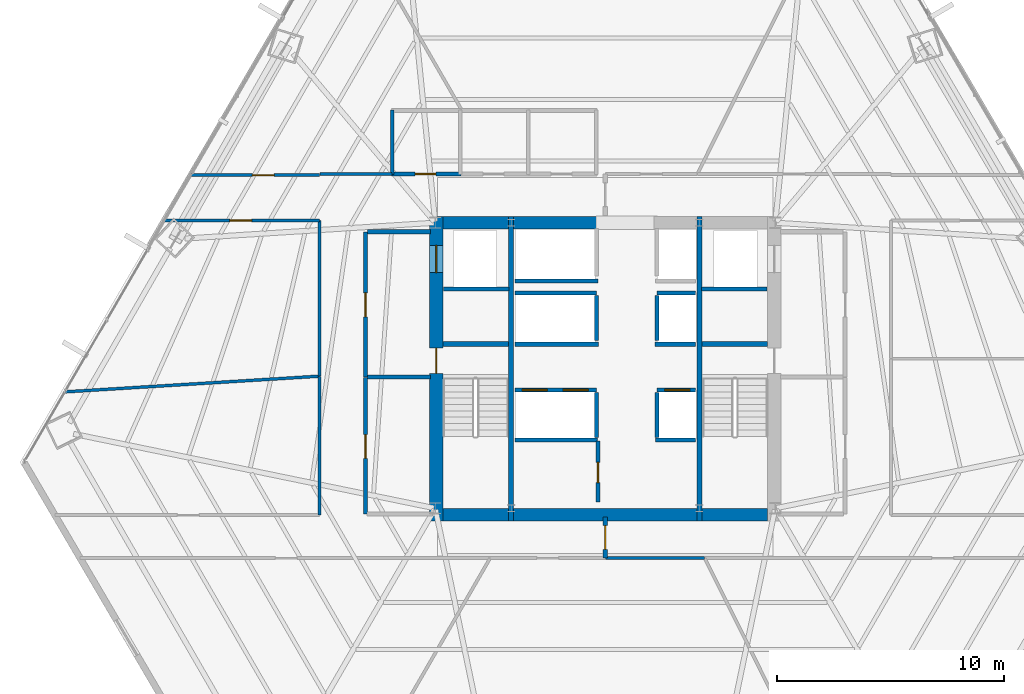
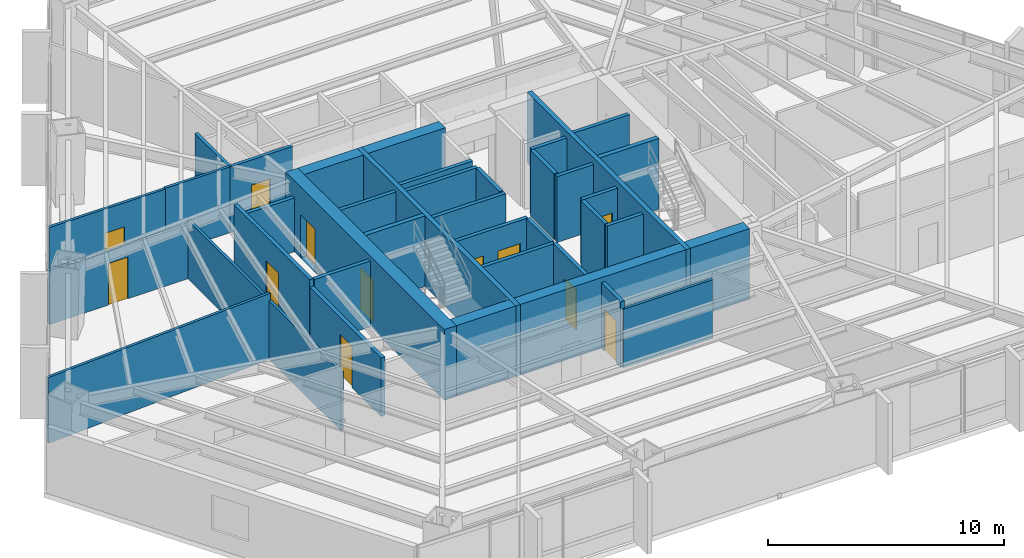
# One storey, part 24 of 29: 40 walls, 12 doors, 12 openings.
"""IFC4 building model written with IfcOpenShell, lengths in metres."""

from ifc_helpers import new_model, si_unit, direction, frame, frame_2d, origin, place, context, subcontext, project, spatial, rectangle, extrude, material, layer, layer_set, type_object, element, fill, save


model = new_model("IFC4")

# Units and contexts
model_context = context("Model", 3, precision=1e-05, world=origin(), true_north=direction((0.0, 1.0)))
body_context = subcontext(model_context, "Body", "Model", "MODEL_VIEW")
ifc_project = project(units=[si_unit("LENGTHUNIT", "METRE"), si_unit("AREAUNIT", "SQUARE_METRE"), si_unit("VOLUMEUNIT", "CUBIC_METRE"), si_unit("PLANEANGLEUNIT", "RADIAN"), si_unit("MASSUNIT", "GRAM", prefix="KILO")], contexts=[model_context])

# Site, building, storey
site_placement = place(None, origin())
site = spatial("IfcSite", under=ifc_project, at=site_placement, CompositionType="ELEMENT")
building_placement = place(site_placement, origin())
building = spatial("IfcBuilding", under=site, at=building_placement, Name="Caelisora Broadcast Tower", CompositionType="ELEMENT")
storey_placement = place(building_placement, frame((0.0, 0.0, 31.25)))
storey = spatial("IfcBuildingStorey", under=building, at=storey_placement, Name="L07", CompositionType="ELEMENT", Elevation=31.25)

# Wall, openings, doors
ifc_material_1 = material(Name="Concrete 65 MPa (AS 3600 S65)", Category="concrete")
ifc_layer_1 = layer(ifc_material_1, 0.60009765625, Name="Concrete 65 MPa (AS 3600 S65)")
ifc_layer_set_1 = layer_set([ifc_layer_1], Name="Concrete 65 MPa (AS 3600 S65)")
wall_type_1 = type_object("IfcWallType", Name="CW1", PredefinedType="SHEAR", material=ifc_layer_set_1)
wall_1_placement = place(storey_placement, frame((30.5400390625, 16.85009765625, 0.0), z_axis=(0.0, 0.0, 1.0), x_axis=(0.0, 1.0, 0.0)))
wall_1 = element("IfcWall", 1, at=wall_1_placement, inside=storey, type_object=wall_type_1, Name="L07 core shear wall CW1", PredefinedType="SHEAR", context=body_context, shape_type="SweptSolid", body=[
    extrude(rectangle(XDim=13.4248046875, YDim=0.60009765625, at=frame_2d((6.71240234375, 0.0))), origin(), (0.0, 0.0, 1.0), 3.64990234375),
])
opening_1_placement = place(wall_1_placement, frame((6.5, 0.0, 0.0)))
opening_1 = element("IfcOpeningElement", 2, at=opening_1_placement, cuts=wall_1, Name="Opening FD04", PredefinedType="OPENING", context=body_context, shape_type="SweptSolid", body=[
    extrude(rectangle(XDim=1.1201171875, YDim=2.14990234375, at=frame_2d((0.56005859375, 1.074951171875))), frame((0.0, 0.31201171875, 0.0), z_axis=(0.0, -1.0, 0.0), x_axis=(1.0, 0.0, 0.0)), (0.0, 0.0, 1.0), 0.6240234375),
])
opening_2_placement = place(wall_1_placement, frame((10.949951171875, 0.0, 0.0)))
opening_2 = element("IfcOpeningElement", 3, at=opening_2_placement, cuts=wall_1, Name="Opening LD04", PredefinedType="OPENING", context=body_context, shape_type="SweptSolid", body=[
    extrude(rectangle(XDim=1.199951171875, YDim=2.199951171875, at=frame_2d((0.60009765625, 1.10009765625))), frame((0.0, 0.31201171875, 0.0), z_axis=(0.0, -1.0, 0.0), x_axis=(1.0, 0.0, 0.0)), (0.0, 0.0, 1.0), 0.6240234375),
])
ifc_material_2 = material(Name="Pressurised Fire-Isolated Stair Door", Category="steel")
door_type_1 = type_object("IfcDoorType", Name="FD04", OperationType="NOTDEFINED", PredefinedType="DOOR", material=ifc_material_2)
door_1_placement = place(opening_1_placement, origin())
door_1 = element("IfcDoor", 4, at=door_1_placement, inside=storey, type_object=door_type_1, Name="L07 door FD04 (L07-DR-ST1)", OperationType="SINGLE_SWING_LEFT", OverallHeight=2.14990234375, OverallWidth=1.1201171875, PredefinedType="DOOR", context=body_context, shape_type="SweptSolid", body=[
    extrude(rectangle(XDim=1.1201171875, YDim=2.14990234375, at=frame_2d((0.56005859375, 1.074951171875))), frame((0.0, 0.02490234375, 0.0), z_axis=(0.0, -1.0, 0.0), x_axis=(1.0, 0.0, 0.0)), (0.0, 0.0, 1.0), 0.050048828125),
])
fill(opening_1, door_1)
ifc_material_3 = material(Name="Emergency Firefighting Lift Sliding Landing Door", Category="steel")
door_type_2 = type_object("IfcDoorType", Name="LD04", OperationType="NOTDEFINED", PredefinedType="DOOR", material=ifc_material_3)
door_2_placement = place(opening_2_placement, origin())
door_2 = element("IfcDoor", 5, at=door_2_placement, inside=storey, type_object=door_type_2, Name="L07 door LD04 (L07-LD-FFL1)", OperationType="SLIDING_TO_LEFT", OverallHeight=2.199951171875, OverallWidth=1.199951171875, PredefinedType="DOOR", context=body_context, shape_type="SweptSolid", body=[
    extrude(rectangle(XDim=1.199951171875, YDim=2.199951171875, at=frame_2d((0.60009765625, 1.10009765625))), frame((0.0, 0.02490234375, 0.0), z_axis=(0.0, -1.0, 0.0), x_axis=(1.0, 0.0, 0.0)), (0.0, 0.0, 1.0), 0.050048828125),
])
fill(opening_2, door_2)

# Walls
ifc_layer_2 = layer(ifc_material_1, 0.550048828125, Name="Concrete 65 MPa (AS 3600 S65)")
ifc_layer_set_2 = layer_set([ifc_layer_2], Name="Concrete 65 MPa (AS 3600 S65)")
wall_type_2 = type_object("IfcWallType", Name="CW4", PredefinedType="SHEAR", material=ifc_layer_set_2)
wall_2_placement = place(storey_placement, frame((30.840087890625, 17.125, 0.0), z_axis=(0.0, 0.0, 1.0), x_axis=(1.0, 0.0, 0.0)))
element("IfcWall", 6, at=wall_2_placement, inside=storey, type_object=wall_type_2, Name="L07 core shear wall CW4", PredefinedType="SHEAR", context=body_context, shape_type="SweptSolid", body=[
    extrude(rectangle(XDim=2.89990234375, YDim=0.550048828125, at=frame_2d((1.449951171875, 0.0))), origin(), (0.0, 0.0, 1.0), 3.64990234375),
])
wall_3_placement = place(storey_placement, frame((33.9599609375, 17.125, 0.0), z_axis=(0.0, 0.0, 1.0), x_axis=(1.0, 0.0, 0.0)))
element("IfcWall", 7, at=wall_3_placement, inside=storey, type_object=wall_type_2, Name="L07 core shear wall CW4", PredefinedType="SHEAR", context=body_context, shape_type="SweptSolid", body=[
    extrude(rectangle(XDim=8.080078125, YDim=0.550048828125, at=frame_2d((4.0400390625, 0.0))), origin(), (0.0, 0.0, 1.0), 3.64990234375),
])
for number, where, z_axis, x_axis, name in (
    (8, (42.260009765625, 17.125, 0.0), (0.0, 0.0, 1.0), (1.0, 0.0, 0.0), "L07 core shear wall CW4"),
    (9, (30.840087890625, 30.0, 0.0), (0.0, 0.0, 1.0), (1.0, 0.0, 0.0), "L07 core shear wall CW4"),
):
    element("IfcWall", number, at=place(storey_placement, frame(where, z_axis=z_axis, x_axis=x_axis)), inside=storey, type_object=wall_type_2, Name=name, PredefinedType="SHEAR", context=body_context, shape_type="SweptSolid", body=[
        extrude(rectangle(XDim=2.89990234375, YDim=0.550048828125, at=frame_2d((1.449951171875, 0.0))), origin(), (0.0, 0.0, 1.0), 3.64990234375),
    ])
wall_4_placement = place(storey_placement, frame((33.9599609375, 30.0, 0.0), z_axis=(0.0, 0.0, 1.0), x_axis=(1.0, 0.0, 0.0)))
element("IfcWall", 10, at=wall_4_placement, inside=storey, type_object=wall_type_2, Name="L07 core shear wall CW4", PredefinedType="SHEAR", context=body_context, shape_type="SweptSolid", body=[
    extrude(rectangle(XDim=3.780029296875, YDim=0.550048828125, at=frame_2d((1.89013671875, 0.0))), origin(), (0.0, 0.0, 1.0), 3.64990234375),
])
ifc_material_4 = material(Name="Concrete 50 MPa (AS 3600 S50)", Category="concrete")
ifc_layer_3 = layer(ifc_material_4, 0.219970703125, Name="Concrete 50 MPa (AS 3600 S50)")
ifc_layer_set_3 = layer_set([ifc_layer_3], Name="Concrete 50 MPa (AS 3600 S50)")
wall_type_3 = type_object("IfcWallType", Name="CW7", PredefinedType="SHEAR", material=ifc_layer_set_3)
for number, where, z_axis, x_axis, name in (
    (11, (33.85009765625, 16.85009765625, 0.0), (0.0, 0.0, 1.0), (0.0, 1.0, 0.0), "L07 core shear wall CW7"),
    (12, (42.14990234375, 16.85009765625, 0.0), (0.0, 0.0, 1.0), (0.0, 1.0, 0.0), "L07 core shear wall CW7"),
):
    element("IfcWall", number, at=place(storey_placement, frame(where, z_axis=z_axis, x_axis=x_axis)), inside=storey, type_object=wall_type_3, Name=name, PredefinedType="SHEAR", context=body_context, shape_type="SweptSolid", body=[
        extrude(rectangle(XDim=13.4248046875, YDim=0.219970703125, at=frame_2d((6.71240234375, 0.0))), origin(), (0.0, 0.0, 1.0), 3.64990234375),
    ])
for number, where, z_axis, x_axis, name in (
    (13, (30.840087890625, 24.639892578125, 0.0), (0.0, 0.0, 1.0), (1.0, 0.0, 0.0), "L07 core shear wall CW7"),
    (14, (42.260009765625, 24.639892578125, 0.0), (0.0, 0.0, 1.0), (1.0, 0.0, 0.0), "L07 core shear wall CW7"),
):
    element("IfcWall", number, at=place(storey_placement, frame(where, z_axis=z_axis, x_axis=x_axis)), inside=storey, type_object=wall_type_3, Name=name, PredefinedType="SHEAR", context=body_context, shape_type="SweptSolid", body=[
        extrude(rectangle(XDim=2.89990234375, YDim=0.219970703125, at=frame_2d((1.449951171875, 0.0))), origin(), (0.0, 0.0, 1.0), 3.64990234375),
    ])

# Wall, openings, doors
ifc_material_5 = material(Name="Fire-Rated Gypsum Shaft and Compartment Wall", Category="gypsum")
ifc_layer_4 = layer(ifc_material_5, 0.179931640625, Name="Fire-Rated Gypsum Shaft and Compartment Wall")
ifc_layer_set_4 = layer_set([ifc_layer_4], Name="Fire-Rated Gypsum Shaft and Compartment Wall")
wall_type_4 = type_object("IfcWallType", Name="PW2", PredefinedType="PARTITIONING", material=ifc_layer_set_4)
wall_5_placement = place(storey_placement, frame((34.02001953125, 22.6201171875, 0.0), z_axis=(0.0, 0.0, 1.0), x_axis=(1.0, 0.0, 0.0)))
wall_5 = element("IfcWall", 15, at=wall_5_placement, inside=storey, type_object=wall_type_4, Name="L07 fire compartment wall PW2", PredefinedType="PARTITIONING", context=body_context, shape_type="SweptSolid", body=[
    extrude(rectangle(XDim=3.60009765625, YDim=0.179931640625, at=frame_2d((1.800048828125, 0.0))), origin(), (0.0, 0.0, 1.0), 3.39990234375),
])
opening_3_placement = place(wall_5_placement, frame((0.320068359375, 0.0, 0.0)))
opening_3 = element("IfcOpeningElement", 16, at=opening_3_placement, cuts=wall_5, Name="Opening LD01", PredefinedType="OPENING", context=body_context, shape_type="SweptSolid", body=[
    extrude(rectangle(XDim=1.10009765625, YDim=2.199951171875, at=frame_2d((0.550048828125, 1.10009765625))), frame((0.0, 0.10205078125, 0.0), z_axis=(0.0, -1.0, 0.0), x_axis=(1.0, 0.0, 0.0)), (0.0, 0.0, 1.0), 0.203857421875),
])
opening_4_placement = place(wall_5_placement, frame((2.1201171875, 0.0, 0.0)))
opening_4 = element("IfcOpeningElement", 17, at=opening_4_placement, cuts=wall_5, Name="Opening LD01", PredefinedType="OPENING", context=body_context, shape_type="SweptSolid", body=[
    extrude(rectangle(XDim=1.10009765625, YDim=2.199951171875, at=frame_2d((0.550048828125, 1.10009765625))), frame((0.0, 0.10205078125, 0.0), z_axis=(0.0, -1.0, 0.0), x_axis=(1.0, 0.0, 0.0)), (0.0, 0.0, 1.0), 0.203857421875),
])
ifc_material_6 = material(Name="Stainless Steel Centre-Parting Lift Landing Door", Category="steel")
door_type_3 = type_object("IfcDoorType", Name="LD01", OperationType="NOTDEFINED", PredefinedType="DOOR", material=ifc_material_6)
door_3_placement = place(opening_3_placement, origin())
door_3 = element("IfcDoor", 18, at=door_3_placement, inside=storey, type_object=door_type_3, Name="L07 door LD01 (L07-LD-PLL1)", OperationType="SLIDING_TO_LEFT", OverallHeight=2.199951171875, OverallWidth=1.10009765625, PredefinedType="DOOR", context=body_context, shape_type="SweptSolid", body=[
    extrude(rectangle(XDim=1.10009765625, YDim=2.199951171875, at=frame_2d((0.550048828125, 1.10009765625))), frame((0.0, 0.02490234375, 0.0), z_axis=(0.0, -1.0, 0.0), x_axis=(1.0, 0.0, 0.0)), (0.0, 0.0, 1.0), 0.050048828125),
])
fill(opening_3, door_3)
door_4_placement = place(opening_4_placement, origin())
door_4 = element("IfcDoor", 19, at=door_4_placement, inside=storey, type_object=door_type_3, Name="L07 door LD01 (L07-LD-PLL2)", OperationType="SLIDING_TO_RIGHT", OverallHeight=2.199951171875, OverallWidth=1.10009765625, PredefinedType="DOOR", context=body_context, shape_type="SweptSolid", body=[
    extrude(rectangle(XDim=1.10009765625, YDim=2.199951171875, at=frame_2d((0.550048828125, 1.10009765625))), frame((0.0, 0.02490234375, 0.0), z_axis=(0.0, -1.0, 0.0), x_axis=(1.0, 0.0, 0.0)), (0.0, 0.0, 1.0), 0.050048828125),
])
fill(opening_4, door_4)

# Wall, opening, door
wall_6_placement = place(storey_placement, frame((40.280029296875, 22.6201171875, 0.0), z_axis=(0.0, 0.0, 1.0), x_axis=(1.0, 0.0, 0.0)))
wall_6 = element("IfcWall", 20, at=wall_6_placement, inside=storey, type_object=wall_type_4, Name="L07 fire compartment wall PW2", PredefinedType="PARTITIONING", context=body_context, shape_type="SweptSolid", body=[
    extrude(rectangle(XDim=1.699951171875, YDim=0.179931640625, at=frame_2d((0.85009765625, 0.0))), origin(), (0.0, 0.0, 1.0), 3.39990234375),
])
opening_5_placement = place(wall_6_placement, frame((0.35009765625, 0.0, 0.0)))
opening_5 = element("IfcOpeningElement", 21, at=opening_5_placement, cuts=wall_6, Name="Opening LD01", PredefinedType="OPENING", context=body_context, shape_type="SweptSolid", body=[
    extrude(rectangle(XDim=1.10009765625, YDim=2.199951171875, at=frame_2d((0.550048828125, 1.10009765625))), frame((0.0, 0.10205078125, 0.0), z_axis=(0.0, -1.0, 0.0), x_axis=(1.0, 0.0, 0.0)), (0.0, 0.0, 1.0), 0.203857421875),
])
door_5_placement = place(opening_5_placement, origin())
door_5 = element("IfcDoor", 22, at=door_5_placement, inside=storey, type_object=door_type_3, Name="L07 door LD01 (L07-LD-PLL3)", OperationType="SLIDING_TO_LEFT", OverallHeight=2.199951171875, OverallWidth=1.10009765625, PredefinedType="DOOR", context=body_context, shape_type="SweptSolid", body=[
    extrude(rectangle(XDim=1.10009765625, YDim=2.199951171875, at=frame_2d((0.550048828125, 1.10009765625))), frame((0.0, 0.02490234375, 0.0), z_axis=(0.0, -1.0, 0.0), x_axis=(1.0, 0.0, 0.0)), (0.0, 0.0, 1.0), 0.050048828125),
])
fill(opening_5, door_5)

# Walls
for number, where, z_axis, x_axis, name in (
    (23, (37.6201171875, 20.52001953125, 0.0), (0.0, 0.0, 1.0), (0.0, 1.0, 0.0), "L07 fire compartment wall PW2"),
    (24, (40.280029296875, 20.52001953125, 0.0), (0.0, 0.0, 1.0), (0.0, 1.0, 0.0), "L07 fire compartment wall PW2"),
):
    element("IfcWall", number, at=place(storey_placement, frame(where, z_axis=z_axis, x_axis=x_axis)), inside=storey, type_object=wall_type_4, Name=name, PredefinedType="PARTITIONING", context=body_context, shape_type="SweptSolid", body=[
        extrude(rectangle(XDim=2.0, YDim=0.179931640625, at=frame_2d((1.0, 0.0))), origin(), (0.0, 0.0, 1.0), 3.39990234375),
    ])
wall_7_placement = place(storey_placement, frame((34.02001953125, 26.89990234375, 0.0), z_axis=(0.0, 0.0, 1.0), x_axis=(1.0, 0.0, 0.0)))
element("IfcWall", 25, at=wall_7_placement, inside=storey, type_object=wall_type_4, Name="L07 fire compartment wall PW2", PredefinedType="PARTITIONING", context=body_context, shape_type="SweptSolid", body=[
    extrude(rectangle(XDim=3.60009765625, YDim=0.179931640625, at=frame_2d((1.800048828125, 0.0))), origin(), (0.0, 0.0, 1.0), 3.39990234375),
])
wall_8_placement = place(storey_placement, frame((40.280029296875, 26.89990234375, 0.0), z_axis=(0.0, 0.0, 1.0), x_axis=(1.0, 0.0, 0.0)))
element("IfcWall", 26, at=wall_8_placement, inside=storey, type_object=wall_type_4, Name="L07 fire compartment wall PW2", PredefinedType="PARTITIONING", context=body_context, shape_type="SweptSolid", body=[
    extrude(rectangle(XDim=1.699951171875, YDim=0.179931640625, at=frame_2d((0.85009765625, 0.0))), origin(), (0.0, 0.0, 1.0), 3.39990234375),
])
for number, where, z_axis, x_axis, name in (
    (27, (37.6201171875, 24.800048828125, 0.0), (0.0, 0.0, 1.0), (0.0, 1.0, 0.0), "L07 fire compartment wall PW2"),
    (28, (40.280029296875, 24.800048828125, 0.0), (0.0, 0.0, 1.0), (0.0, 1.0, 0.0), "L07 fire compartment wall PW2"),
):
    element("IfcWall", number, at=place(storey_placement, frame(where, z_axis=z_axis, x_axis=x_axis)), inside=storey, type_object=wall_type_4, Name=name, PredefinedType="PARTITIONING", context=body_context, shape_type="SweptSolid", body=[
        extrude(rectangle(XDim=2.0, YDim=0.179931640625, at=frame_2d((1.0, 0.0))), origin(), (0.0, 0.0, 1.0), 3.39990234375),
    ])
wall_9_placement = place(storey_placement, frame((34.02001953125, 24.639892578125, 0.0), z_axis=(0.0, 0.0, 1.0), x_axis=(1.0, 0.0, 0.0)))
element("IfcWall", 29, at=wall_9_placement, inside=storey, type_object=wall_type_4, Name="L07 fire compartment wall PW2", PredefinedType="PARTITIONING", context=body_context, shape_type="SweptSolid", body=[
    extrude(rectangle(XDim=3.679931640625, YDim=0.179931640625, at=frame_2d((1.83984375, 0.0))), origin(), (0.0, 0.0, 1.0), 3.39990234375),
])
wall_10_placement = place(storey_placement, frame((40.199951171875, 24.639892578125, 0.0), z_axis=(0.0, 0.0, 1.0), x_axis=(1.0, 0.0, 0.0)))
element("IfcWall", 30, at=wall_10_placement, inside=storey, type_object=wall_type_4, Name="L07 fire compartment wall PW2", PredefinedType="PARTITIONING", context=body_context, shape_type="SweptSolid", body=[
    extrude(rectangle(XDim=1.780029296875, YDim=0.179931640625, at=frame_2d((0.89013671875, 0.0))), origin(), (0.0, 0.0, 1.0), 3.39990234375),
])
wall_11_placement = place(storey_placement, frame((34.02001953125, 27.419921875, 0.0), z_axis=(0.0, 0.0, 1.0), x_axis=(1.0, 0.0, 0.0)))
element("IfcWall", 31, at=wall_11_placement, inside=storey, type_object=wall_type_4, Name="L07 fire compartment wall PW2", PredefinedType="PARTITIONING", context=body_context, shape_type="SweptSolid", body=[
    extrude(rectangle(XDim=3.659912109375, YDim=0.179931640625, at=frame_2d((1.830078125, 0.0))), origin(), (0.0, 0.0, 1.0), 3.39990234375),
])

# Wall, opening, door
wall_12_placement = place(storey_placement, frame((27.419921875, 23.199951171875, 0.0), z_axis=(0.0, 0.0, 1.0), x_axis=(0.0, 1.0, 0.0)))
wall_12 = element("IfcWall", 32, at=wall_12_placement, inside=storey, type_object=wall_type_4, Name="L07 fire compartment wall PW2", PredefinedType="PARTITIONING", context=body_context, shape_type="SweptSolid", body=[
    extrude(rectangle(XDim=6.400146484375, YDim=0.179931640625, at=frame_2d((3.2001953125, 0.0))), origin(), (0.0, 0.0, 1.0), 3.39990234375),
])
opening_6_placement = place(wall_12_placement, frame((2.64990234375, 0.0, 0.0)))
opening_6 = element("IfcOpeningElement", 33, at=opening_6_placement, cuts=wall_12, Name="Opening FD02", PredefinedType="OPENING", context=body_context, shape_type="SweptSolid", body=[
    extrude(rectangle(XDim=1.050048828125, YDim=2.14990234375, at=frame_2d((0.52490234375, 1.074951171875))), frame((0.0, 0.10205078125, 0.0), z_axis=(0.0, -1.0, 0.0), x_axis=(1.0, 0.0, 0.0)), (0.0, 0.0, 1.0), 0.203857421875),
])
ifc_material_7 = material(Name="Single-Leaf Steel Fire Lobby Door", Category="steel")
door_type_4 = type_object("IfcDoorType", Name="FD02", OperationType="NOTDEFINED", PredefinedType="DOOR", material=ifc_material_7)
door_6_placement = place(opening_6_placement, origin())
door_6 = element("IfcDoor", 34, at=door_6_placement, inside=storey, type_object=door_type_4, Name="L07 door FD02 (L07-DR-P01D1)", OperationType="SINGLE_SWING_LEFT", OverallHeight=2.14990234375, OverallWidth=1.050048828125, PredefinedType="DOOR", context=body_context, shape_type="SweptSolid", body=[
    extrude(rectangle(XDim=1.050048828125, YDim=2.14990234375, at=frame_2d((0.52490234375, 1.074951171875))), frame((0.0, 0.02490234375, 0.0), z_axis=(0.0, -1.0, 0.0), x_axis=(1.0, 0.0, 0.0)), (0.0, 0.0, 1.0), 0.050048828125),
])
fill(opening_6, door_6)

# Walls
wall_13_placement = place(storey_placement, frame((27.52001953125, 23.199951171875, 0.0), z_axis=(0.0, 0.0, 1.0), x_axis=(1.0, 0.0, 0.0)))
element("IfcWall", 35, at=wall_13_placement, inside=storey, type_object=wall_type_4, Name="L07 fire compartment wall PW2", PredefinedType="PARTITIONING", context=body_context, shape_type="SweptSolid", body=[
    extrude(rectangle(XDim=2.760009765625, YDim=0.179931640625, at=frame_2d((1.3798828125, 0.0))), origin(), (0.0, 0.0, 1.0), 3.39990234375),
])
wall_14_placement = place(storey_placement, frame((27.52001953125, 29.60009765625, 0.0), z_axis=(0.0, 0.0, 1.0), x_axis=(1.0, 0.0, 0.0)))
element("IfcWall", 36, at=wall_14_placement, inside=storey, type_object=wall_type_4, Name="L07 fire compartment wall PW2", PredefinedType="PARTITIONING", context=body_context, shape_type="SweptSolid", body=[
    extrude(rectangle(XDim=2.760009765625, YDim=0.179931640625, at=frame_2d((1.3798828125, 0.0))), origin(), (0.0, 0.0, 1.0), 2.78271484375),
])
for number, where, z_axis, x_axis, name in (
    (37, (30.860107421875, 27.070068359375, 0.0), (0.0, 0.0, 1.0), (1.0, 0.0, 0.0), "L07 fire compartment wall PW2"),
    (38, (42.239990234375, 27.070068359375, 0.0), (0.0, 0.0, 1.0), (1.0, 0.0, 0.0), "L07 fire compartment wall PW2"),
):
    element("IfcWall", number, at=place(storey_placement, frame(where, z_axis=z_axis, x_axis=x_axis)), inside=storey, type_object=wall_type_4, Name=name, PredefinedType="PARTITIONING", context=body_context, shape_type="SweptSolid", body=[
        extrude(rectangle(XDim=2.89990234375, YDim=0.179931640625, at=frame_2d((1.449951171875, 0.0))), origin(), (0.0, 0.0, 1.0), 3.39990234375),
    ])
wall_15_placement = place(storey_placement, frame((34.02001953125, 20.419921875, 0.0), z_axis=(0.0, 0.0, 1.0), x_axis=(1.0, 0.0, 0.0)))
element("IfcWall", 39, at=wall_15_placement, inside=storey, type_object=wall_type_4, Name="L07 fire compartment wall PW2", PredefinedType="PARTITIONING", context=body_context, shape_type="SweptSolid", body=[
    extrude(rectangle(XDim=3.639892578125, YDim=0.179931640625, at=frame_2d((1.81982421875, 0.0))), origin(), (0.0, 0.0, 1.0), 3.39990234375),
])
wall_16_placement = place(storey_placement, frame((40.219970703125, 20.419921875, 0.0), z_axis=(0.0, 0.0, 1.0), x_axis=(1.0, 0.0, 0.0)))
element("IfcWall", 40, at=wall_16_placement, inside=storey, type_object=wall_type_4, Name="L07 fire compartment wall PW2", PredefinedType="PARTITIONING", context=body_context, shape_type="SweptSolid", body=[
    extrude(rectangle(XDim=1.760009765625, YDim=0.179931640625, at=frame_2d((0.8798828125, 0.0))), origin(), (0.0, 0.0, 1.0), 3.39990234375),
])

# Wall, opening, door
wall_17_placement = place(storey_placement, frame((37.679931640625, 17.679931640625, 0.0), z_axis=(0.0, 0.0, 1.0), x_axis=(0.0, 1.0, 0.0)))
wall_17 = element("IfcWall", 41, at=wall_17_placement, inside=storey, type_object=wall_type_4, Name="L07 fire compartment wall PW2", PredefinedType="PARTITIONING", context=body_context, shape_type="SweptSolid", body=[
    extrude(rectangle(XDim=2.699951171875, YDim=0.179931640625, at=frame_2d((1.35009765625, 0.0))), origin(), (0.0, 0.0, 1.0), 3.39990234375),
])
opening_7_placement = place(wall_17_placement, frame((0.85009765625, 0.0, 0.0)))
opening_7 = element("IfcOpeningElement", 42, at=opening_7_placement, cuts=wall_17, Name="Opening FD03", PredefinedType="OPENING", context=body_context, shape_type="SweptSolid", body=[
    extrude(rectangle(XDim=0.89990234375, YDim=2.10009765625, at=frame_2d((0.449951171875, 1.050048828125))), frame((0.0, 0.10205078125, 0.0), z_axis=(0.0, -1.0, 0.0), x_axis=(1.0, 0.0, 0.0)), (0.0, 0.0, 1.0), 0.203857421875),
])
ifc_material_8 = material(Name="Single-Leaf Steel Riser Fire Access Door", Category="steel")
door_type_5 = type_object("IfcDoorType", Name="FD03", OperationType="NOTDEFINED", PredefinedType="DOOR", material=ifc_material_8)
door_7_placement = place(opening_7_placement, origin())
door_7 = element("IfcDoor", 43, at=door_7_placement, inside=storey, type_object=door_type_5, Name="L07 door FD03 (L07-DR-P11D1)", OperationType="SINGLE_SWING_LEFT", OverallHeight=2.10009765625, OverallWidth=0.89990234375, PredefinedType="DOOR", context=body_context, shape_type="SweptSolid", body=[
    extrude(rectangle(XDim=0.89990234375, YDim=2.10009765625, at=frame_2d((0.449951171875, 1.050048828125))), frame((0.0, 0.02490234375, 0.0), z_axis=(0.0, -1.0, 0.0), x_axis=(1.0, 0.0, 0.0)), (0.0, 0.0, 1.0), 0.050048828125),
])
fill(opening_7, door_7)

wall_18_placement = place(storey_placement, frame((27.419921875, 17.14990234375, 0.0), z_axis=(0.0, 0.0, 1.0), x_axis=(0.0, 1.0, 0.0)))
wall_18 = element("IfcWall", 44, at=wall_18_placement, inside=storey, type_object=wall_type_4, Name="L07 fire compartment wall PW2", PredefinedType="PARTITIONING", context=body_context, shape_type="SweptSolid", body=[
    extrude(rectangle(XDim=6.030029296875, YDim=0.179931640625, at=frame_2d((3.01513671875, 0.0))), origin(), (0.0, 0.0, 1.0), 3.0263671875),
])
opening_8_placement = place(wall_18_placement, frame((2.449951171875, 0.0, 0.0)))
opening_8 = element("IfcOpeningElement", 45, at=opening_8_placement, cuts=wall_18, Name="Opening FD02", PredefinedType="OPENING", context=body_context, shape_type="SweptSolid", body=[
    extrude(rectangle(XDim=1.050048828125, YDim=2.14990234375, at=frame_2d((0.52490234375, 1.074951171875))), frame((0.0, 0.10205078125, 0.0), z_axis=(0.0, -1.0, 0.0), x_axis=(1.0, 0.0, 0.0)), (0.0, 0.0, 1.0), 0.203857421875),
])
door_8_placement = place(opening_8_placement, origin())
door_8 = element("IfcDoor", 46, at=door_8_placement, inside=storey, type_object=door_type_4, Name="L07 door FD02 (L07-DR-P12D1)", OperationType="SINGLE_SWING_RIGHT", OverallHeight=2.14990234375, OverallWidth=1.050048828125, PredefinedType="DOOR", context=body_context, shape_type="SweptSolid", body=[
    extrude(rectangle(XDim=1.050048828125, YDim=2.14990234375, at=frame_2d((0.52490234375, 1.074951171875))), frame((0.0, 0.02490234375, 0.0), z_axis=(0.0, -1.0, 0.0), x_axis=(1.0, 0.0, 0.0)), (0.0, 0.0, 1.0), 0.050048828125),
])
fill(opening_8, door_8)

wall_19_placement = place(storey_placement, frame((38.0, 15.205078125, 0.0), z_axis=(0.0, 0.0, 1.0), x_axis=(0.0, 1.0, 0.0)))
wall_19 = element("IfcWall", 47, at=wall_19_placement, inside=storey, type_object=wall_type_4, Name="L07 fire compartment wall PW2", PredefinedType="PARTITIONING", context=body_context, shape_type="SweptSolid", body=[
    extrude(rectangle(XDim=1.81982421875, YDim=0.179931640625, at=frame_2d((0.909912109375, 0.0))), origin(), (0.0, 0.0, 1.0), 3.39990234375),
])
opening_9_placement = place(wall_19_placement, frame((0.385009765625, 0.0, 0.0)))
opening_9 = element("IfcOpeningElement", 48, at=opening_9_placement, cuts=wall_19, Name="Opening FD02", PredefinedType="OPENING", context=body_context, shape_type="SweptSolid", body=[
    extrude(rectangle(XDim=1.050048828125, YDim=2.14990234375, at=frame_2d((0.52490234375, 1.074951171875))), frame((0.0, 0.10205078125, 0.0), z_axis=(0.0, -1.0, 0.0), x_axis=(1.0, 0.0, 0.0)), (0.0, 0.0, 1.0), 0.203857421875),
])
door_9_placement = place(opening_9_placement, origin())
door_9 = element("IfcDoor", 49, at=door_9_placement, inside=storey, type_object=door_type_4, Name="L07 door FD02 (L07-DR-P49D1)", OperationType="SINGLE_SWING_LEFT", OverallHeight=2.14990234375, OverallWidth=1.050048828125, PredefinedType="DOOR", context=body_context, shape_type="SweptSolid", body=[
    extrude(rectangle(XDim=1.050048828125, YDim=2.14990234375, at=frame_2d((0.52490234375, 1.074951171875))), frame((0.0, 0.02490234375, 0.0), z_axis=(0.0, -1.0, 0.0), x_axis=(1.0, 0.0, 0.0)), (0.0, 0.0, 1.0), 0.050048828125),
])
fill(opening_9, door_9)

# Wall
ifc_material_9 = material(Name="Acoustic Steel-Stud Plasterboard Partition", Category="gypsum")
ifc_layer_5 = layer(ifc_material_9, 0.1298828125, Name="Acoustic Steel-Stud Plasterboard Partition")
ifc_layer_set_5 = layer_set([ifc_layer_5], Name="Acoustic Steel-Stud Plasterboard Partition")
wall_type_5 = type_object("IfcWallType", Name="PW3", PredefinedType="PARTITIONING", material=ifc_layer_set_5)
wall_20_placement = place(storey_placement, frame((14.156982421875, 22.53662109375, 0.0), z_axis=(0.0, 0.0, 1.0), x_axis=(0.998102122672, 0.061580457266, 0.0)))
element("IfcWall", 50, at=wall_20_placement, inside=storey, type_object=wall_type_5, Name="L07 internal partition PW3", PredefinedType="PARTITIONING", context=body_context, shape_type="SweptSolid", body=[
    extrude(rectangle(XDim=11.259521484375, YDim=0.1298828125, at=frame_2d((5.6298828125, 0.0))), origin(), (0.0, 0.0, 1.0), 3.39990234375),
])

# Wall, opening, door
wall_21_placement = place(storey_placement, frame((25.39501953125, 30.10009765625, 0.0), z_axis=(0.0, 0.0, 1.0), x_axis=(-1.0, 0.0, 0.0)))
wall_21 = element("IfcWall", 51, at=wall_21_placement, inside=storey, type_object=wall_type_5, Name="L07 internal partition PW3", PredefinedType="PARTITIONING", context=body_context, shape_type="SweptSolid", body=[
    extrude(rectangle(XDim=6.8330078125, YDim=0.1298828125, at=frame_2d((3.41650390625, 0.0))), origin(), (0.0, 0.0, 1.0), 2.78271484375),
])
opening_10_placement = place(wall_21_placement, frame((2.992919921875, 0.0, 0.0)))
opening_10 = element("IfcOpeningElement", 52, at=opening_10_placement, cuts=wall_21, Name="Opening D01", PredefinedType="OPENING", context=body_context, shape_type="SweptSolid", body=[
    extrude(rectangle(XDim=0.9599609375, YDim=2.14990234375, at=frame_2d((0.47998046875, 1.074951171875))), frame((0.0, 0.076904296875, 0.0), z_axis=(0.0, -1.0, 0.0), x_axis=(1.0, 0.0, 0.0)), (0.0, 0.0, 1.0), 0.15380859375),
])
ifc_material_10 = material(Name="Solid-Core Timber Acoustic Office Door", Category="wood")
door_type_6 = type_object("IfcDoorType", Name="D01", OperationType="NOTDEFINED", PredefinedType="DOOR", material=ifc_material_10)
door_10_placement = place(opening_10_placement, origin())
door_10 = element("IfcDoor", 53, at=door_10_placement, inside=storey, type_object=door_type_6, Name="L07 door D01 (L07-DR-P38D1)", OperationType="SINGLE_SWING_LEFT", OverallHeight=2.14990234375, OverallWidth=0.9599609375, PredefinedType="DOOR", context=body_context, shape_type="SweptSolid", body=[
    extrude(rectangle(XDim=0.9599609375, YDim=2.14990234375, at=frame_2d((0.47998046875, 1.074951171875))), frame((0.0, 0.02490234375, 0.0), z_axis=(0.0, -1.0, 0.0), x_axis=(1.0, 0.0, 0.0)), (0.0, 0.0, 1.0), 0.050048828125),
])
fill(opening_10, door_10)

# Walls
wall_22_placement = place(storey_placement, frame((25.39990234375, 23.235107421875, 0.0), z_axis=(0.0, 0.0, 1.0), x_axis=(0.0, 1.0, 0.0)))
element("IfcWall", 54, at=wall_22_placement, inside=storey, type_object=wall_type_5, Name="L07 internal partition PW3", PredefinedType="PARTITIONING", context=body_context, shape_type="SweptSolid", body=[
    extrude(rectangle(XDim=6.85986328125, YDim=0.1298828125, at=frame_2d((3.429931640625, 0.0))), origin(), (0.0, 0.0, 1.0), 3.0263671875),
])
wall_23_placement = place(storey_placement, frame((25.39990234375, 17.10498046875, 0.0), z_axis=(0.0, 0.0, 1.0), x_axis=(0.0, 1.0, 0.0)))
element("IfcWall", 55, at=wall_23_placement, inside=storey, type_object=wall_type_5, Name="L07 internal partition PW3", PredefinedType="PARTITIONING", context=body_context, shape_type="SweptSolid", body=[
    extrude(rectangle(XDim=6.1201171875, YDim=0.1298828125, at=frame_2d((3.06005859375, 0.0))), origin(), (0.0, 0.0, 1.0), 3.0263671875),
])

# Wall, opening, door
wall_24_placement = place(storey_placement, frame((19.726806640625, 32.10009765625, 0.0), z_axis=(0.0, 0.0, 1.0), x_axis=(1.0, 0.0, 0.0)))
wall_24 = element("IfcWall", 56, at=wall_24_placement, inside=storey, type_object=wall_type_5, Name="L07 internal partition PW3", PredefinedType="PARTITIONING", context=body_context, shape_type="SweptSolid", body=[
    extrude(rectangle(XDim=5.668212890625, YDim=0.1298828125, at=frame_2d((2.833984375, 0.0))), origin(), (0.0, 0.0, 1.0), 3.39990234375),
])
opening_11_placement = place(wall_24_placement, frame((2.699951171875, 0.0, 0.0)))
opening_11 = element("IfcOpeningElement", 57, at=opening_11_placement, cuts=wall_24, Name="Opening D01", PredefinedType="OPENING", context=body_context, shape_type="SweptSolid", body=[
    extrude(rectangle(XDim=0.9599609375, YDim=2.14990234375, at=frame_2d((0.47998046875, 1.074951171875))), frame((0.0, 0.076904296875, 0.0), z_axis=(0.0, -1.0, 0.0), x_axis=(1.0, 0.0, 0.0)), (0.0, 0.0, 1.0), 0.15380859375),
])
door_11_placement = place(opening_11_placement, origin())
door_11 = element("IfcDoor", 58, at=door_11_placement, inside=storey, type_object=door_type_6, Name="L07 door D01 (L07-DR-P44D1)", OperationType="SINGLE_SWING_RIGHT", OverallHeight=2.14990234375, OverallWidth=0.9599609375, PredefinedType="DOOR", context=body_context, shape_type="SweptSolid", body=[
    extrude(rectangle(XDim=0.9599609375, YDim=2.14990234375, at=frame_2d((0.47998046875, 1.074951171875))), frame((0.0, 0.02490234375, 0.0), z_axis=(0.0, -1.0, 0.0), x_axis=(1.0, 0.0, 0.0)), (0.0, 0.0, 1.0), 0.050048828125),
])
fill(opening_11, door_11)

# Walls
wall_25_placement = place(storey_placement, frame((38.0048828125, 15.199951171875, 0.0), z_axis=(0.0, 0.0, 1.0), x_axis=(1.0, 0.0, 0.0)))
element("IfcWall", 59, at=wall_25_placement, inside=storey, type_object=wall_type_5, Name="L07 internal partition PW3", PredefinedType="PARTITIONING", context=body_context, shape_type="SweptSolid", body=[
    extrude(rectangle(XDim=4.380126953125, YDim=0.1298828125, at=frame_2d((2.18994140625, 0.0))), origin(), (0.0, 0.0, 1.0), 3.0263671875),
])
wall_26_placement = place(storey_placement, frame((25.405029296875, 32.14990234375, 0.0), z_axis=(0.0, 0.0, 1.0), x_axis=(1.0, 0.0, 0.0)))
element("IfcWall", 60, at=wall_26_placement, inside=storey, type_object=wall_type_5, Name="L07 internal partition PW3", PredefinedType="PARTITIONING", context=body_context, shape_type="SweptSolid", body=[
    extrude(rectangle(XDim=3.18994140625, YDim=0.1298828125, at=frame_2d((1.594970703125, 0.0))), origin(), (0.0, 0.0, 1.0), 3.39990234375),
])

# Wall, opening, door
ifc_material_11 = material(Name="Moisture-Resistant Wet Plumbing Service Wall", Category="gypsum")
ifc_layer_6 = layer(ifc_material_11, 0.159912109375, Name="Moisture-Resistant Wet Plumbing Service Wall")
ifc_layer_set_6 = layer_set([ifc_layer_6], Name="Moisture-Resistant Wet Plumbing Service Wall")
wall_type_6 = type_object("IfcWallType", Name="PW4", PredefinedType="PLUMBINGWALL", material=ifc_layer_set_6)
wall_27_placement = place(storey_placement, frame((28.574951171875, 32.14990234375, 0.0), z_axis=(0.0, 0.0, 1.0), x_axis=(1.0, 0.0, 0.0)))
wall_27 = element("IfcWall", 61, at=wall_27_placement, inside=storey, type_object=wall_type_6, Name="L07 wet plumbing wall PW4", PredefinedType="PLUMBINGWALL", context=body_context, shape_type="SweptSolid", body=[
    extrude(rectangle(XDim=3.050048828125, YDim=0.159912109375, at=frame_2d((1.52490234375, 0.0))), origin(), (0.0, 0.0, 1.0), 3.39990234375),
])
opening_12_placement = place(wall_27_placement, frame((1.034912109375, 0.0, 0.0)))
opening_12 = element("IfcOpeningElement", 62, at=opening_12_placement, cuts=wall_27, Name="Opening D03", PredefinedType="OPENING", context=body_context, shape_type="SweptSolid", body=[
    extrude(rectangle(XDim=0.919921875, YDim=2.10009765625, at=frame_2d((0.4599609375, 1.050048828125))), frame((0.0, 0.092041015625, 0.0), z_axis=(0.0, -1.0, 0.0), x_axis=(1.0, 0.0, 0.0)), (0.0, 0.0, 1.0), 0.183837890625),
])
ifc_material_12 = material(Name="Laminate Moisture-Resistant Amenity WC Door", Category="wood")
door_type_7 = type_object("IfcDoorType", Name="D03", OperationType="NOTDEFINED", PredefinedType="DOOR", material=ifc_material_12)
door_12_placement = place(opening_12_placement, origin())
door_12 = element("IfcDoor", 63, at=door_12_placement, inside=storey, type_object=door_type_7, Name="L07 door D03 (L07-DR-P16D1)", OperationType="SINGLE_SWING_RIGHT", OverallHeight=2.10009765625, OverallWidth=0.919921875, PredefinedType="DOOR", context=body_context, shape_type="SweptSolid", body=[
    extrude(rectangle(XDim=0.919921875, YDim=2.10009765625, at=frame_2d((0.4599609375, 1.050048828125))), frame((0.0, 0.02490234375, 0.0), z_axis=(0.0, -1.0, 0.0), x_axis=(1.0, 0.0, 0.0)), (0.0, 0.0, 1.0), 0.050048828125),
])
fill(opening_12, door_12)

# Wall
wall_28_placement = place(storey_placement, frame((28.60009765625, 32.125, 0.0), z_axis=(0.0, 0.0, 1.0), x_axis=(0.0, 1.0, 0.0)))
element("IfcWall", 64, at=wall_28_placement, inside=storey, type_object=wall_type_6, Name="L07 wet plumbing wall PW4", PredefinedType="PLUMBINGWALL", context=body_context, shape_type="SweptSolid", body=[
    extrude(rectangle(XDim=2.85009765625, YDim=0.159912109375, at=frame_2d((1.425048828125, 0.0))), origin(), (0.0, 0.0, 1.0), 3.39990234375),
])

save(model, "model.ifc")
